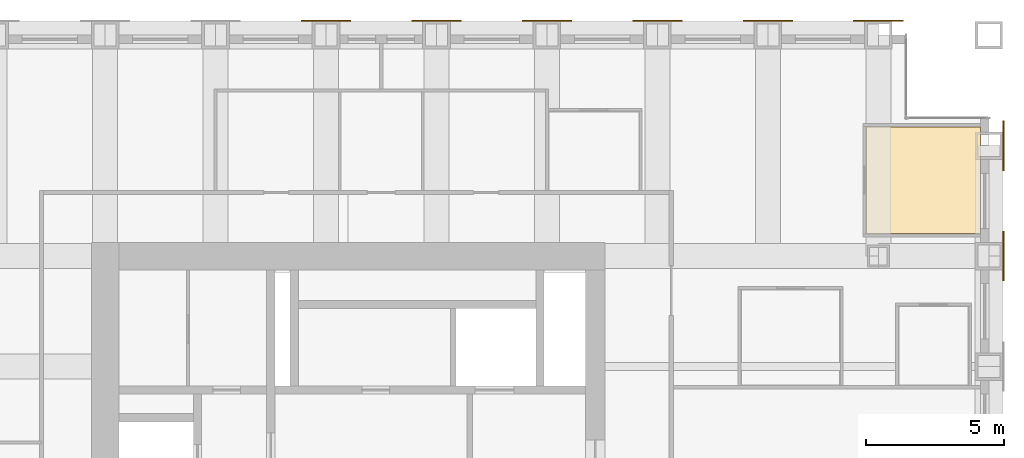
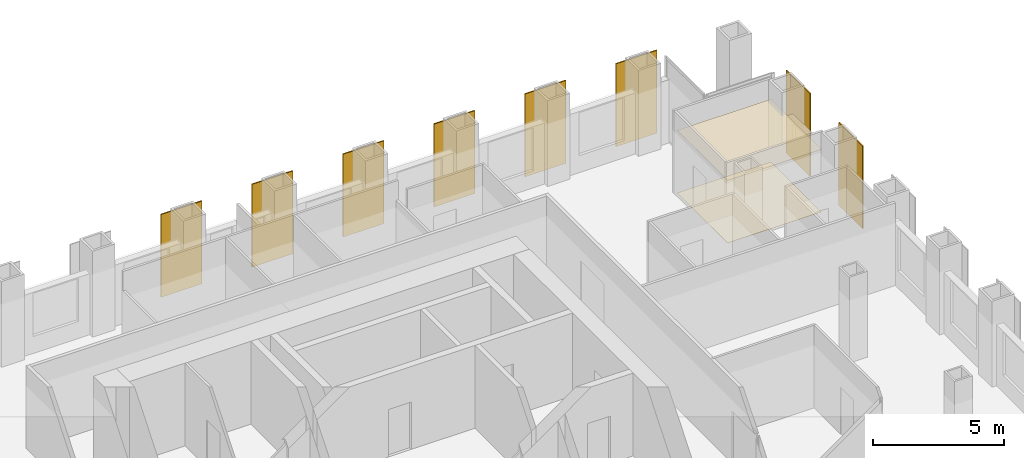
# One storey, part 13 of 13: 8 shading devices, 2 coverings.
"""IFC4 building model written with IfcOpenShell, lengths in metres."""

from ifc_helpers import new_model, si_unit, direction, frame, origin, origin_2d, place, context, subcontext, project, spatial, polyline, rectangle, outline, extrude, material, layer, layer_set, type_object, element, save


model = new_model("IFC4")

# Units and contexts
model_context = context("Model", 3, precision=1e-05, world=origin(), true_north=direction((0.0, 1.0)))
body_context = subcontext(model_context, "Body", "Model", "MODEL_VIEW")
ifc_project = project(units=[si_unit("LENGTHUNIT", "METRE"), si_unit("AREAUNIT", "SQUARE_METRE"), si_unit("VOLUMEUNIT", "CUBIC_METRE"), si_unit("PLANEANGLEUNIT", "RADIAN"), si_unit("MASSUNIT", "GRAM", prefix="KILO")], contexts=[model_context])

# Site, building, storey
site_placement = place(None, origin())
site = spatial("IfcSite", under=ifc_project, at=site_placement, CompositionType="ELEMENT")
building_placement = place(site_placement, origin())
building = spatial("IfcBuilding", under=site, at=building_placement, Name="Rimbunsela Tower", CompositionType="ELEMENT")
storey_placement = place(building_placement, frame((0.0, 0.0, 254.199951171875)))
storey = spatial("IfcBuildingStorey", under=building, at=storey_placement, Name="L61", CompositionType="ELEMENT", Elevation=254.199951171875)

# Coverings
ifc_material_1 = material(Name="Nylon carpet tile", Category="textile")
ifc_layer_1 = layer(ifc_material_1, 0.010009765625)
ifc_layer_set_1 = layer_set([ifc_layer_1], Name="Carpet tile 10")
covering_type_1 = type_object("IfcCoveringType", Name="Carpet tile 10", PredefinedType="FLOORING", material=ifc_layer_set_1)
covering_1_placement = place(storey_placement, origin())
element("IfcCovering", 1, at=covering_1_placement, inside=storey, type_object=covering_type_1, Name="Floor finish Executive office", PredefinedType="FLOORING", context=body_context, shape_type="SweptSolid", body=[
    extrude(outline(polyline([(49.699951171875, 36.824951171875), (49.699951171875, 40.675048828125), (45.574951171875, 40.675048828125), (45.574951171875, 36.824951171875), (49.699951171875, 36.824951171875)])), origin(), (0.0, 0.0, 1.0), 0.010009765625),
])
ifc_material_2 = material(Name="Mineral fibre ceiling tile", Category="gypsum")
ifc_layer_2 = layer(ifc_material_2, 0.02001953125)
ifc_layer_set_2 = layer_set([ifc_layer_2], Name="Ceiling 600 grid")
covering_type_2 = type_object("IfcCoveringType", Name="Ceiling 600 grid", PredefinedType="CEILING", material=ifc_layer_set_2)
covering_2_placement = place(storey_placement, frame((0.0, 0.0, 2.900146484375)))
element("IfcCovering", 2, at=covering_2_placement, inside=storey, type_object=covering_type_2, Name="Ceiling Executive office", PredefinedType="CEILING", context=body_context, shape_type="SweptSolid", body=[
    extrude(outline(polyline([(49.699951171875, 36.824951171875), (49.699951171875, 40.675048828125), (45.574951171875, 40.675048828125), (45.574951171875, 36.824951171875), (49.699951171875, 36.824951171875)])), origin(), (0.0, 0.0, 1.0), 0.02001953125),
])

# Shading devices
ifc_material_3 = material(Name="Perforated aluminium, 35 % open area", Category="aluminium")
ifc_layer_3 = layer(ifc_material_3, 0.050048828125)
ifc_layer_set_3 = layer_set([ifc_layer_3], Name="Solar screen panel 1800")
shading_device_type = type_object("IfcShadingDeviceType", Name="Solar screen panel 1800", PredefinedType="USERDEFINED", material=ifc_layer_set_3)
for number, where, z_axis, x_axis, name in (
    (3, (50.52490234375, 36.0, 0.0), (0.0, 0.0, 1.0), (0.0, 1.0, 0.0), "Solar screen E L61"),
    (4, (50.52490234375, 40.0, 0.0), (0.0, 0.0, 1.0), (0.0, 1.0, 0.0), "Solar screen E L61"),
    (5, (26.0, 44.52490234375, 0.0), (0.0, 0.0, 1.0), (1.0, 0.0, 0.0), "Solar screen N L61"),
    (6, (30.0, 44.52490234375, 0.0), (0.0, 0.0, 1.0), (1.0, 0.0, 0.0), "Solar screen N L61"),
    (7, (34.0, 44.52490234375, 0.0), (0.0, 0.0, 1.0), (1.0, 0.0, 0.0), "Solar screen N L61"),
    (8, (38.0, 44.52490234375, 0.0), (0.0, 0.0, 1.0), (1.0, 0.0, 0.0), "Solar screen N L61"),
    (9, (42.0, 44.52490234375, 0.0), (0.0, 0.0, 1.0), (1.0, 0.0, 0.0), "Solar screen N L61"),
    (10, (46.0, 44.52490234375, 0.0), (0.0, 0.0, 1.0), (1.0, 0.0, 0.0), "Solar screen N L61"),
):
    element("IfcShadingDevice", number, at=place(storey_placement, frame(where, z_axis=z_axis, x_axis=x_axis)), inside=storey, type_object=shading_device_type, Name=name, ObjectType="SCREEN", PredefinedType="USERDEFINED", context=body_context, shape_type="SweptSolid", body=[
        extrude(rectangle(XDim=1.800048828125, YDim=0.050048828125, at=origin_2d()), origin(), (0.0, 0.0, 1.0), 3.85009765625),
    ])

save(model, "model.ifc")
